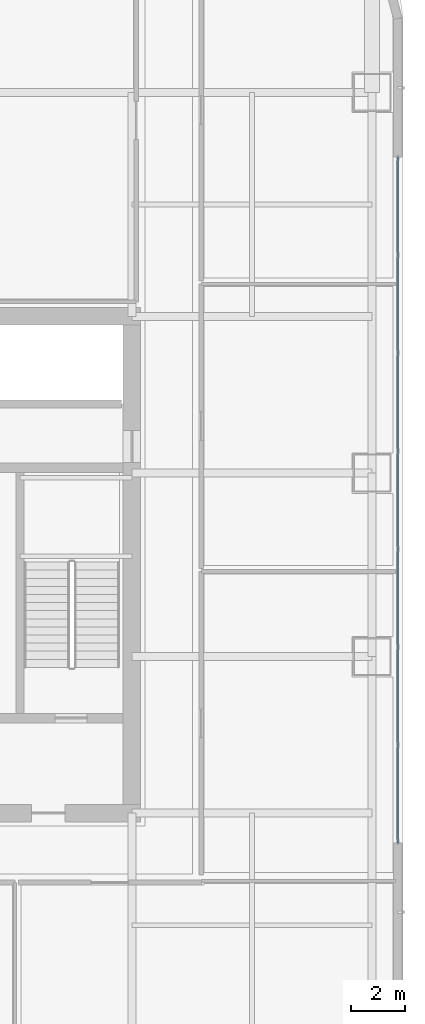
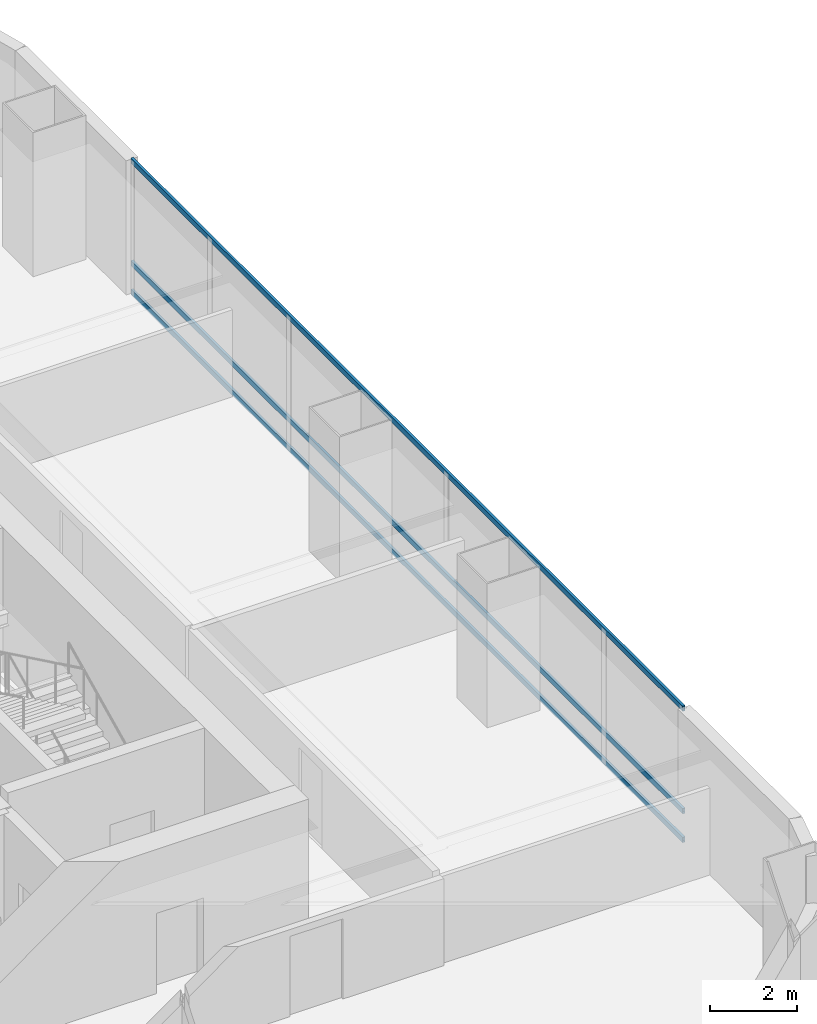
# One storey, part 18 of 47: 3 members, 1 element without a shape of its own.
"""IFC4 building model written with IfcOpenShell, lengths in metres."""

from ifc_helpers import new_model, si_unit, direction, frame, origin, origin_2d, place, context, subcontext, project, spatial, hollow_rectangle, extrude, material, material_profile, profile_set, type_object, element, aggregate, save


model = new_model("IFC4")

# Units and contexts
model_context = context("Model", 3, precision=1e-05, world=origin(), true_north=direction((0.0, 1.0)))
body_context = subcontext(model_context, "Body", "Model", "MODEL_VIEW")
ifc_project = project(units=[si_unit("LENGTHUNIT", "METRE"), si_unit("AREAUNIT", "SQUARE_METRE"), si_unit("VOLUMEUNIT", "CUBIC_METRE"), si_unit("PLANEANGLEUNIT", "RADIAN"), si_unit("MASSUNIT", "GRAM", prefix="KILO")], contexts=[model_context])

# Site, building, storey
site_placement = place(None, origin())
site = spatial("IfcSite", under=ifc_project, at=site_placement, CompositionType="ELEMENT")
building_placement = place(site_placement, origin())
building = spatial("IfcBuilding", under=site, at=building_placement, Name="Punatoya Terracotta Tower", CompositionType="ELEMENT")
storey_placement = place(building_placement, frame((0.0, 0.0, 168.14990234375)))
storey = spatial("IfcBuildingStorey", under=building, at=storey_placement, Name="L39", CompositionType="ELEMENT", Elevation=168.14990234375)

# Curtain wall, members
ifc_material_1 = material(Name="Aluminium 6063-T6 + Double Low-E Glass", Category="aluminium")
curtain_wall_type = type_object("IfcCurtainWallType", Name="CW-M2", PredefinedType="NOTDEFINED", material=ifc_material_1)
curtain_wall_placement = place(storey_placement, origin())
curtain_wall = element("IfcCurtainWall", 1, at=curtain_wall_placement, inside=storey, type_object=curtain_wall_type, Name="L39 Curtain Wall CW-L39-E05-1", PredefinedType="NOTDEFINED")
ifc_material_2 = material(Name="Aluminium 6063-T6", Category="aluminium")
ifc_material_profile = material_profile(ifc_material_2, hollow_rectangle(XDim=0.068115234375, YDim=0.14990234375, WallThickness=0.00390625, at=origin_2d()))
ifc_profile_set = profile_set([ifc_material_profile], Name="Aluminium 6063-T6")
member_type = type_object("IfcMemberType", Name="CW-TRN-TYP", PredefinedType="USERDEFINED", material=ifc_profile_set)
member_1_placement = place(storey_placement, frame((20.050048828125, -10.300048828125, 0.0400390625), z_axis=(0.0, 1.0, 0.0), x_axis=(-1.0, 0.0, 0.0)))
member_1 = element("IfcMember", 2, at=member_1_placement, type_object=member_type, Name="CW-L39-E05-1 Transom 1", ObjectType="TRANSOM", PredefinedType="USERDEFINED", context=body_context, shape_type="SweptSolid", body=[
    extrude(hollow_rectangle(XDim=0.068115234375, YDim=0.14990234375, WallThickness=0.00390625, at=origin_2d()), origin(), (0.0, 0.0, 1.0), 25.400146484375),
])
member_2_placement = place(storey_placement, frame((20.050048828125, -10.300048828125, 0.85009765625), z_axis=(0.0, 1.0, 0.0), x_axis=(-1.0, 0.0, 0.0)))
member_2 = element("IfcMember", 3, at=member_2_placement, type_object=member_type, Name="CW-L39-E05-1 Transom 2", ObjectType="TRANSOM", PredefinedType="USERDEFINED", context=body_context, shape_type="SweptSolid", body=[
    extrude(hollow_rectangle(XDim=0.068115234375, YDim=0.14990234375, WallThickness=0.00390625, at=origin_2d()), origin(), (0.0, 0.0, 1.0), 25.400146484375),
])
member_3_placement = place(storey_placement, frame((20.050048828125, -10.300048828125, 3.72998046875), z_axis=(0.0, 1.0, 0.0), x_axis=(-1.0, 0.0, 0.0)))
member_3 = element("IfcMember", 4, at=member_3_placement, type_object=member_type, Name="CW-L39-E05-1 Transom 3", ObjectType="TRANSOM", PredefinedType="USERDEFINED", context=body_context, shape_type="SweptSolid", body=[
    extrude(hollow_rectangle(XDim=0.068115234375, YDim=0.14990234375, WallThickness=0.00390625, at=origin_2d()), origin(), (0.0, 0.0, 1.0), 25.400146484375),
])
aggregate(curtain_wall, [member_1, member_2, member_3])

save(model, "model.ifc")
